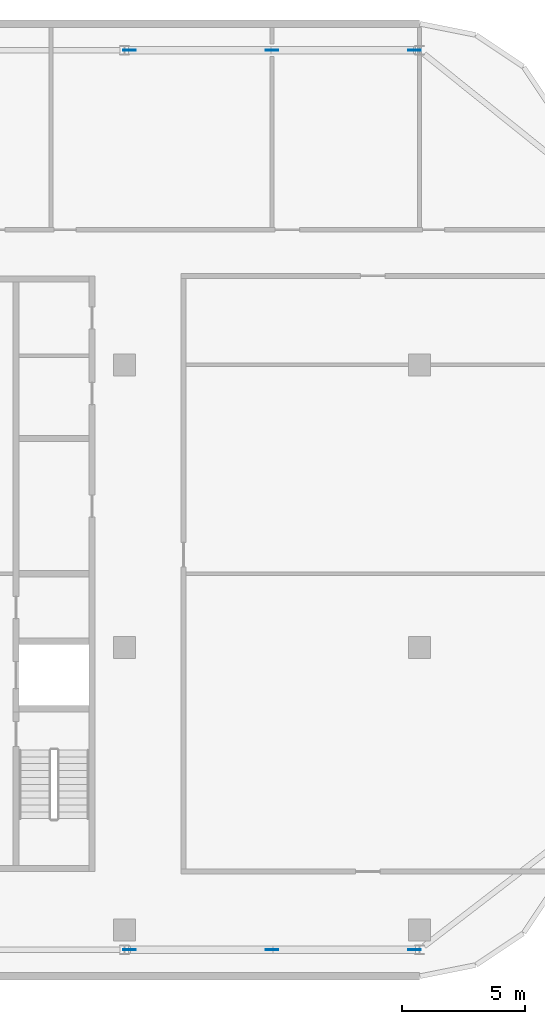
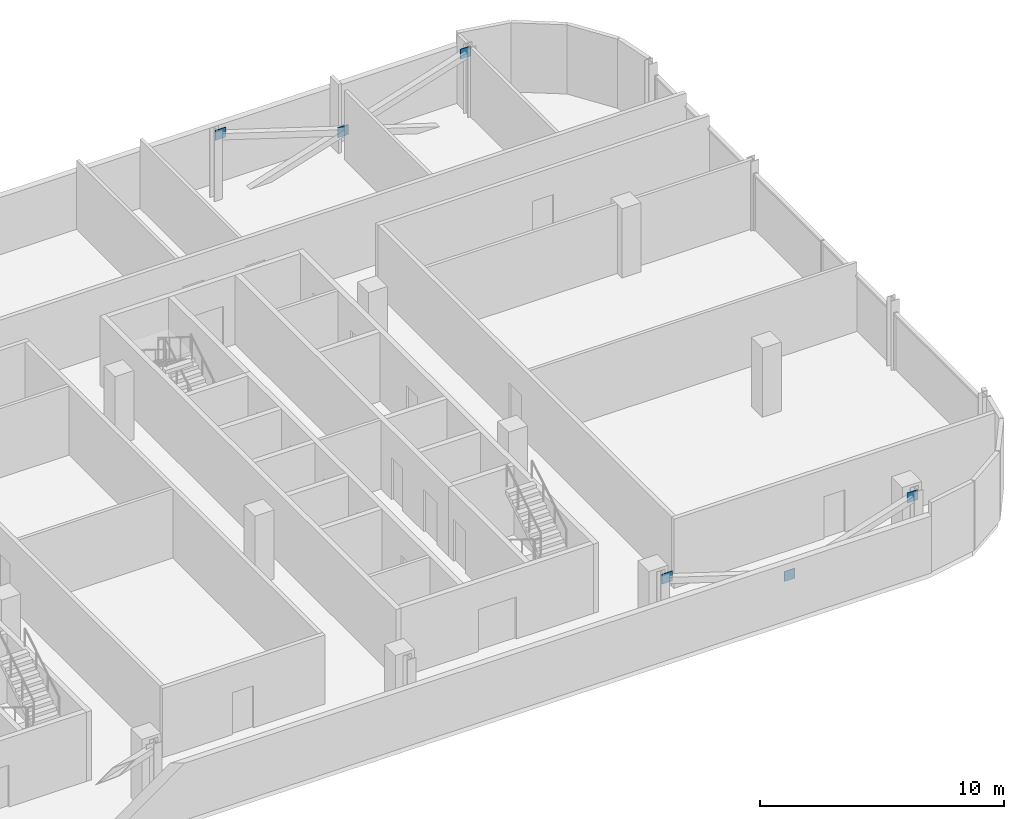
# One storey, part 23 of 28: 6 discrete accessories.
"""IFC4 building model written with IfcOpenShell, lengths in metres."""

from ifc_helpers import new_model, si_unit, direction, frame, origin, origin_2d, place, context, subcontext, project, spatial, rectangle, extrude, material, layer, layer_set, type_object, element, save


model = new_model("IFC4")

# Units and contexts
model_context = context("Model", 3, precision=1e-05, world=origin(), true_north=direction((0.0, 1.0)))
body_context = subcontext(model_context, "Body", "Model", "MODEL_VIEW")
ifc_project = project(units=[si_unit("LENGTHUNIT", "METRE"), si_unit("AREAUNIT", "SQUARE_METRE"), si_unit("VOLUMEUNIT", "CUBIC_METRE"), si_unit("PLANEANGLEUNIT", "RADIAN"), si_unit("MASSUNIT", "GRAM", prefix="KILO")], contexts=[model_context])

# Site, building, storey
site_placement = place(None, origin())
site = spatial("IfcSite", under=ifc_project, at=site_placement, CompositionType="ELEMENT")
building_placement = place(site_placement, origin())
building = spatial("IfcBuilding", under=site, at=building_placement, Name="Mahtab Terrace Research Tower", CompositionType="ELEMENT")
storey_placement = place(building_placement, frame((0.0, 0.0, 270.89990234375)))
storey = spatial("IfcBuildingStorey", under=building, at=storey_placement, Name="L66", CompositionType="ELEMENT", Elevation=270.89990234375)

# Discrete accessories
ifc_material = material(Name="Steel ASTM A992 Gr 50", Category="steel")
ifc_layer = layer(ifc_material, 0.030029296875)
ifc_layer_set = layer_set([ifc_layer], Name="Gusset plate 500x500x30")
discrete_accessory_type = type_object("IfcDiscreteAccessoryType", Name="Gusset plate 500x500x30", PredefinedType="USERDEFINED", material=ifc_layer_set)
for number, where, z_axis, x_axis, name in (
    (1, (30.197021484375, -12.306884765625, 2.906494140625), (0.0, 0.0, 1.0), (1.0, 0.0, 0.0), "Gusset plate"),
    (2, (30.197021484375, 24.306884765625, 2.906494140625), (0.0, 0.0, 1.0), (1.0, 0.0, 0.0), "Gusset plate"),
    (3, (36.0, -12.306884765625, 1.006591796875), (0.0, 0.0, 1.0), (1.0, 0.0, 0.0), "Gusset plate"),
    (4, (36.0, 24.306884765625, 1.006591796875), (0.0, 0.0, 1.0), (1.0, 0.0, 0.0), "Gusset plate"),
    (5, (41.80322265625, -12.306884765625, 2.906494140625), (0.0, 0.0, 1.0), (1.0, 0.0, 0.0), "Gusset plate"),
    (6, (41.80322265625, 24.306884765625, 2.906494140625), (0.0, 0.0, 1.0), (1.0, 0.0, 0.0), "Gusset plate"),
):
    element("IfcDiscreteAccessory", number, at=place(storey_placement, frame(where, z_axis=z_axis, x_axis=x_axis)), inside=storey, type_object=discrete_accessory_type, Name=name, ObjectType="GUSSET PLATE", PredefinedType="USERDEFINED", context=body_context, shape_type="SweptSolid", body=[
        extrude(rectangle(XDim=0.5, YDim=0.030029296875, at=origin_2d()), origin(), (0.0, 0.0, 1.0), 0.5),
    ])

save(model, "model.ifc")
